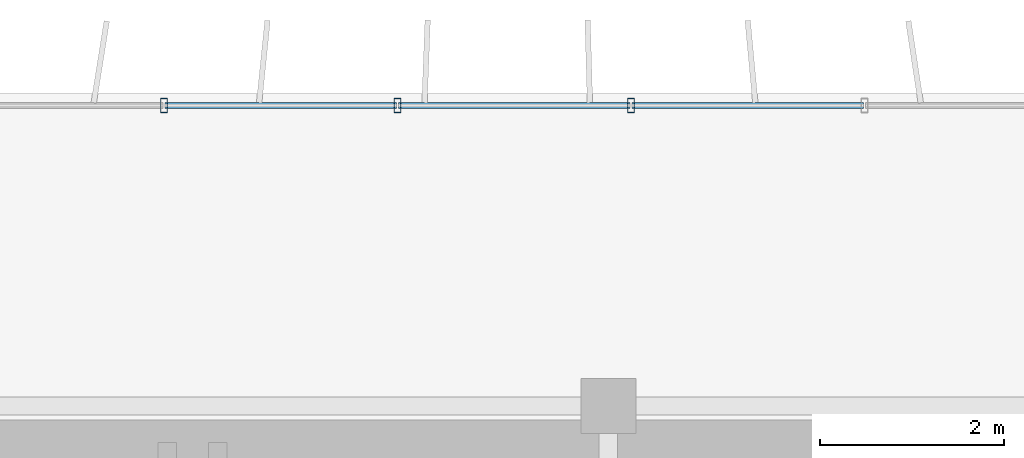
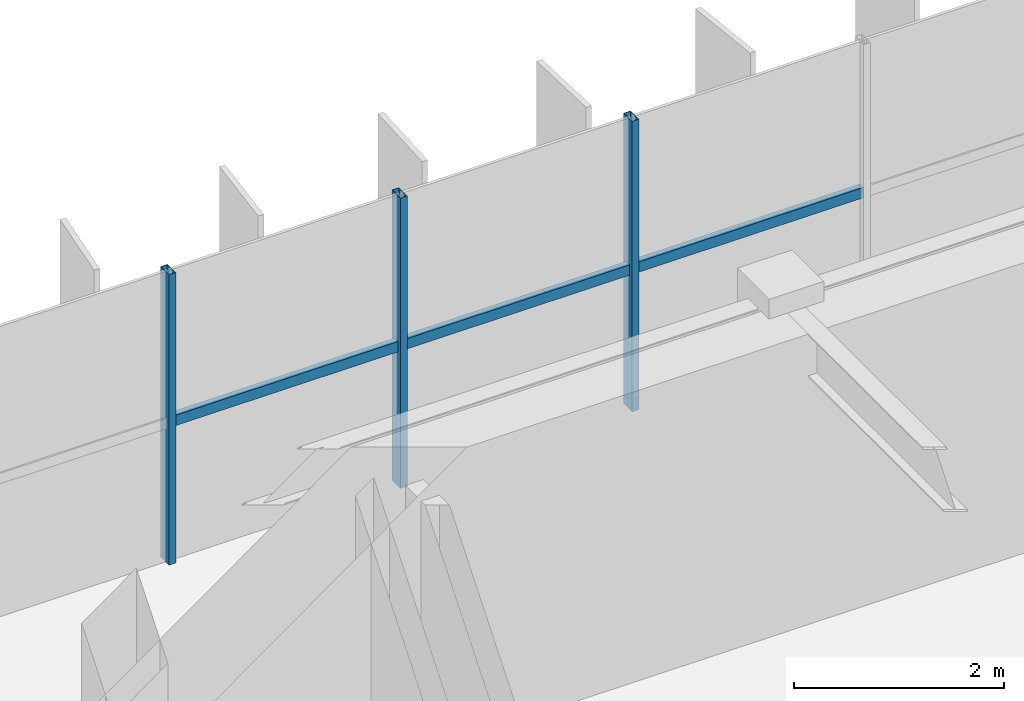
# One storey, part 8 of 23: 6 members, 1 element without a shape of its own.
"""IFC4 building model written with IfcOpenShell, lengths in metres."""

import ifcopenshell
import ifcopenshell.guid

model = None  # the IFC model being written
_history = None  # IfcOwnerHistory: only IFC2X3 demands one
_inside = {}  # id of a spatial element -> (the spatial element, [elements in it])
_under = {}  # id of a project, library or spatial element -> (it, [spatial elements below it])
_declared = {}  # id of a project -> (the project, [libraries it declares])
_typed = {}  # id of a type object -> (the type object, [elements of that type])
_made_of = {}  # id of a material, layer set ... -> (it, [elements and type objects made of it])


def new_model(schema):
    """Start an empty IFC model of exactly this schema.

    Asked for "IFC4X3", IfcOpenShell would pick the latest addendum, in which some entities
    have other attributes; the version numbers below select the first issue.
    IFC2X3 requires an IfcOwnerHistory on every rooted entity: one is made here for all.
    """
    global model, _history
    if schema == "IFC4X3":
        model = ifcopenshell.file(schema_version=(4, 3, 0, 0))
    else:
        model = ifcopenshell.file(schema=schema)
    _inside.clear()
    _under.clear()
    _declared.clear()
    _typed.clear()
    _made_of.clear()
    _history = None
    if model.schema == "IFC2X3":
        org = make("IfcOrganization", Name="unknown")
        user = make(
            "IfcPersonAndOrganization",
            ThePerson=make("IfcPerson", FamilyName="unknown"),
            TheOrganization=org,
        )
        app = make(
            "IfcApplication",
            ApplicationDeveloper=org,
            Version="unknown",
            ApplicationFullName="unknown",
            ApplicationIdentifier="unknown",
        )
        _history = make(
            "IfcOwnerHistory",
            OwningUser=user,
            OwningApplication=app,
            ChangeAction="ADDED",
            CreationDate=0,
        )
    return model


def make(cls, **values):
    """One entity of the class cls with the attributes given. An attribute that is None is left unset."""
    return model.create_entity(
        cls, **{name: value for name, value in values.items() if value is not None}
    )


def rooted(cls, **values):
    """An entity with a GlobalId (a new one), such as an element, a storey or a relation."""
    return make(cls, GlobalId=ifcopenshell.guid.new(), OwnerHistory=_history, **values)


def si_unit(unit_type, name, prefix=None):
    """IfcSIUnit, for example si_unit("LENGTHUNIT", "METRE", prefix="MILLI")."""
    return make("IfcSIUnit", UnitType=unit_type, Prefix=prefix, Name=name)


def assignment(units):
    """IfcUnitAssignment: the units of a project."""
    return None if units is None else make("IfcUnitAssignment", Units=units)


def point(xyz):
    """IfcCartesianPoint."""
    return None if xyz is None else make("IfcCartesianPoint", Coordinates=xyz)


def direction(xyz):
    """IfcDirection."""
    return None if xyz is None else make("IfcDirection", DirectionRatios=xyz)


def frame(location, z_axis=None, x_axis=None):
    """IfcAxis2Placement3D, a coordinate frame: its origin and axes. An axis left out is left unset."""
    return make(
        "IfcAxis2Placement3D",
        Location=point(location),
        Axis=direction(z_axis),
        RefDirection=direction(x_axis),
    )


def frame_2d(location, x_axis=None):
    """IfcAxis2Placement2D, a coordinate frame in the plane: its origin and x axis."""
    return make(
        "IfcAxis2Placement2D", Location=point(location), RefDirection=direction(x_axis)
    )


def origin():
    """The frame at (0, 0, 0) with its axes left unset."""
    return frame((0.0, 0.0, 0.0))


def origin_2d():
    """The frame at (0, 0) in the plane with its x axis left unset."""
    return frame_2d((0.0, 0.0))


def place(relative_to, where):
    """IfcLocalPlacement: puts the frame where relative to a parent placement (None: the world)."""
    return make(
        "IfcLocalPlacement", PlacementRelTo=relative_to, RelativePlacement=where
    )


def context(
    kind, dimensions, precision=None, world=None, true_north=None, identifier=None
):
    """IfcGeometricRepresentationContext, for example the 3D "Model" context."""
    return make(
        "IfcGeometricRepresentationContext",
        ContextIdentifier=identifier,
        ContextType=kind,
        CoordinateSpaceDimension=dimensions,
        Precision=precision,
        WorldCoordinateSystem=world,
        TrueNorth=true_north,
    )


def subcontext(parent, identifier, kind, view, scale=None):
    """IfcGeometricRepresentationSubContext, for example "Body" below "Model"."""
    return make(
        "IfcGeometricRepresentationSubContext",
        ContextIdentifier=identifier,
        ContextType=kind,
        ParentContext=parent,
        TargetScale=scale,
        TargetView=view,
    )


def project(units=None, contexts=None):
    """IfcProject with its units and contexts."""
    return rooted(
        "IfcProject",
        Name="project",
        RepresentationContexts=contexts,
        UnitsInContext=assignment(units),
    )


def spatial(cls, under=None, at=None, **own):
    """A site, building, storey or space (cls), placed at a placement, below another one or the project."""
    s = rooted(cls, ObjectPlacement=at, **own)
    if under is not None:
        _under.setdefault(under.id(), (under, []))[1].append(s)
    return s


def profile(cls, at=None, kind="AREA", **sizes):
    """A parametric profile (cls). Its sizes go by their IFC names, for example OverallWidth=200.0."""
    return make(cls, ProfileType=kind, Position=at, **sizes)


def hollow_rectangle(**sizes):
    """IfcRectangleHollowProfileDef."""
    return profile("IfcRectangleHollowProfileDef", **sizes)


def extrude(swept, where, along, depth):
    """IfcExtrudedAreaSolid: the profile swept, set in the frame where, extruded along a direction by depth."""
    return make(
        "IfcExtrudedAreaSolid",
        SweptArea=swept,
        Position=where,
        ExtrudedDirection=direction(along),
        Depth=depth,
    )


def shape(context_of_items, identifier, shape_type, items):
    """IfcShapeRepresentation: the items that make up one representation, for example the "Body"."""
    return make(
        "IfcShapeRepresentation",
        ContextOfItems=context_of_items,
        RepresentationIdentifier=identifier,
        RepresentationType=shape_type,
        Items=items,
    )


def source(mapping_origin, context_of_items, identifier, shape_type, items):
    """IfcRepresentationMap: a shape defined once, which mapped items show again and again."""
    return make(
        "IfcRepresentationMap",
        MappingOrigin=mapping_origin,
        MappedRepresentation=shape(context_of_items, identifier, shape_type, items),
    )


def transform(
    local_origin,
    x_axis=None,
    y_axis=None,
    z_axis=None,
    scale=None,
    scale2=None,
    scale3=None,
    uniform=True,
):
    """IfcCartesianTransformationOperator3D, or its non-uniform kind. x_axis, y_axis, z_axis: its Axis1, 2, 3."""
    if uniform:
        return make(
            "IfcCartesianTransformationOperator3D",
            Axis1=direction(x_axis),
            Axis2=direction(y_axis),
            LocalOrigin=point(local_origin),
            Scale=scale,
            Axis3=direction(z_axis),
        )
    return make(
        "IfcCartesianTransformationOperator3DnonUniform",
        Axis1=direction(x_axis),
        Axis2=direction(y_axis),
        LocalOrigin=point(local_origin),
        Scale=scale,
        Axis3=direction(z_axis),
        Scale2=scale2,
        Scale3=scale3,
    )


def mapped(mapping_source, mapping_target):
    """IfcMappedItem: shows the shape of a source again, moved by a transform."""
    return make(
        "IfcMappedItem", MappingSource=mapping_source, MappingTarget=mapping_target
    )


def material(Name=None, Category=None):
    """IfcMaterial."""
    return make("IfcMaterial", Name=Name, Category=Category)


def material_profile(
    of_material, cross_section, Name=None, Category=None, Priority=None
):
    """IfcMaterialProfile: a cross section and its material."""
    return make(
        "IfcMaterialProfile",
        Name=Name,
        Material=of_material,
        Profile=cross_section,
        Priority=Priority,
        Category=Category,
    )


def profile_set(profiles, Name=None, composite=None):
    """IfcMaterialProfileSet."""
    return make(
        "IfcMaterialProfileSet",
        Name=Name,
        MaterialProfiles=profiles,
        CompositeProfile=composite,
    )


def made_of(thing, what):
    """Note that an element or type object is made of a material, layer set ...; save() writes the relation."""
    if what is not None:
        _made_of.setdefault(what.id(), (what, []))[1].append(thing)
    return thing


def type_object(cls, material=None, **own):
    """A type object (cls), such as IfcWallType, which elements share."""
    return made_of(rooted(cls, **own), material)


def element(
    cls,
    number,
    at=None,
    inside=None,
    cuts=None,
    type_object=None,
    material=None,
    context=None,
    identifier="Body",
    shape_type=None,
    held_by="IfcProductDefinitionShape",
    body=None,
    shapes=None,
    **own,
):
    """One element of the class cls, such as IfcWall. Its Tag is "e" and its number.

    at: its placement. inside: the storey or other place that contains it. cuts: it is an
    opening in that element (IfcRelVoidsElement). A single representation is given by context,
    identifier, shape_type and body (its items); several are given by shapes. held_by: the class
    of the entity that holds the representations. save() writes the other relations.
    """
    e = rooted(cls, Tag="e%d" % number, ObjectPlacement=at, **own)
    if body is not None:
        shapes = [shape(context, identifier, shape_type, body)]
    if shapes is not None:
        e.Representation = make(held_by, Representations=shapes)
    if inside is not None:
        _inside.setdefault(inside.id(), (inside, []))[1].append(e)
    if cuts is not None:
        rooted(
            "IfcRelVoidsElement", RelatingBuildingElement=cuts, RelatedOpeningElement=e
        )
    if type_object is not None:
        _typed.setdefault(type_object.id(), (type_object, []))[1].append(e)
    return made_of(e, material)


def aggregate(whole, parts):
    """IfcRelAggregates: a whole, such as a stair, and the parts it consists of."""
    return rooted("IfcRelAggregates", RelatingObject=whole, RelatedObjects=parts)


def save(model, path):
    """Write the relations noted so far, then the file.

    IfcRelAggregates (storeys below a building ...), IfcRelContainedInSpatialStructure (elements
    in a storey), IfcRelDefinesByType, IfcRelAssociatesMaterial and IfcRelDeclares: one each for
    every whole, place, type object, material and project.
    """
    for whole, parts in _under.values():
        aggregate(whole, parts)
    for where, things in _inside.values():
        rooted(
            "IfcRelContainedInSpatialStructure",
            RelatedElements=things,
            RelatingStructure=where,
        )
    for kind, things in _typed.values():
        rooted("IfcRelDefinesByType", RelatedObjects=things, RelatingType=kind)
    for what, things in _made_of.values():
        rooted("IfcRelAssociatesMaterial", RelatedObjects=things, RelatingMaterial=what)
    for by, libraries in _declared.values():
        rooted("IfcRelDeclares", RelatingContext=by, RelatedDefinitions=libraries)
    model.write(path)


model = new_model("IFC4")

# Units and contexts
model_context = context("Model", 3, precision=1e-05, world=origin(), true_north=direction((0.0, 1.0)))
body_context = subcontext(model_context, "Body", "Model", "MODEL_VIEW")
ifc_project = project(units=[si_unit("LENGTHUNIT", "METRE"), si_unit("AREAUNIT", "SQUARE_METRE"), si_unit("VOLUMEUNIT", "CUBIC_METRE"), si_unit("PLANEANGLEUNIT", "RADIAN"), si_unit("MASSUNIT", "GRAM", prefix="KILO")], contexts=[model_context])

# Site, building, storey
site_placement = place(None, origin())
site = spatial("IfcSite", under=ifc_project, at=site_placement, CompositionType="ELEMENT")
building_placement = place(site_placement, origin())
building = spatial("IfcBuilding", under=site, at=building_placement, Name="Trelvane Seafront Commons", CompositionType="ELEMENT")
storey_placement = place(building_placement, frame((0.0, 0.0, 259.5)))
storey = spatial("IfcBuildingStorey", under=building, at=storey_placement, Name="L67", CompositionType="ELEMENT", Elevation=259.5)

# Curtain wall, members
ifc_material = material(Name="Anodised pale-silver aluminium", Category="aluminium")
curtain_wall_type = type_object("IfcCurtainWallType", Name="ARCH-CW5-UPTOWER", PredefinedType="NOTDEFINED", material=ifc_material)
curtain_wall_placement = place(storey_placement, origin())
curtain_wall = element("IfcCurtainWall", 1, at=curtain_wall_placement, inside=storey, type_object=curtain_wall_type, Name="CW-L67-0111", PredefinedType="NOTDEFINED")
ifc_material_profile_1 = material_profile(ifc_material, hollow_rectangle(XDim=0.070068359375, YDim=0.1201171875, WallThickness=0.00390625, at=origin_2d()), Name="TRAN-70x120x4")
ifc_profile_set_1 = profile_set([ifc_material_profile_1], Name="Anodised pale-silver aluminium")
member_type_1 = type_object("IfcMemberType", Name="ARCH-CW-TRAN-120", PredefinedType="USERDEFINED", material=ifc_profile_set_1)
shared_shape_1 = source(origin(), body_context, "Body", "SweptSolid", [
    extrude(hollow_rectangle(XDim=0.070068359375, YDim=0.1201171875, WallThickness=0.00390625, at=origin_2d()), origin(), (0.0, 0.0, 1.0), 2.51708984375),
])
member_1_placement = place(storey_placement, frame((30.859130859375, 48.3701171875, 1.617919921875), z_axis=(1.0, 0.0, 0.0), x_axis=(0.0, 1.0, 0.0)))
member_1 = element("IfcMember", 2, at=member_1_placement, type_object=member_type_1, Name="CW-L67-0111-T06", ObjectType="TRANSOM", PredefinedType="USERDEFINED", context=body_context, shape_type="MappedRepresentation", body=[
    mapped(shared_shape_1, transform((0.0, 0.0, 0.0), x_axis=(1.0, 0.0, 0.0), y_axis=(0.0, 1.0, 0.0), z_axis=(0.0, 0.0, 1.0), scale=1.0)),
])
shared_shape_2 = source(origin(), body_context, "Body", "SweptSolid", [
    extrude(hollow_rectangle(XDim=0.070068359375, YDim=0.1201171875, WallThickness=0.00390625, at=origin_2d()), origin(), (0.0, 0.0, 1.0), 2.517333984375),
])
member_2_placement = place(storey_placement, frame((25.776611328125, 48.3701171875, 1.617919921875), z_axis=(1.0, 0.0, 0.0), x_axis=(0.0, 1.0, 0.0)))
member_2 = element("IfcMember", 3, at=member_2_placement, type_object=member_type_1, Name="CW-L67-0111-T04", ObjectType="TRANSOM", PredefinedType="USERDEFINED", context=body_context, shape_type="MappedRepresentation", body=[
    mapped(shared_shape_2, transform((0.0, 0.0, 0.0), x_axis=(1.0, 0.0, 0.0), y_axis=(0.0, 1.0, 0.0), z_axis=(0.0, 0.0, 1.0), scale=1.0)),
])
member_3_placement = place(storey_placement, frame((28.31787109375, 48.3701171875, 1.617919921875), z_axis=(1.0, 0.0, 0.0), x_axis=(0.0, 1.0, 0.0)))
member_3 = element("IfcMember", 4, at=member_3_placement, type_object=member_type_1, Name="CW-L67-0111-T05", ObjectType="TRANSOM", PredefinedType="USERDEFINED", context=body_context, shape_type="MappedRepresentation", body=[
    mapped(shared_shape_2, transform((0.0, 0.0, 0.0), x_axis=(1.0, 0.0, 0.0), y_axis=(0.0, 1.0, 0.0), z_axis=(0.0, 0.0, 1.0), scale=1.0)),
])
ifc_material_profile_2 = material_profile(ifc_material, hollow_rectangle(XDim=0.074951171875, YDim=0.159912109375, WallThickness=0.00390625, at=origin_2d()), Name="MULL-75x160x4")
ifc_profile_set_2 = profile_set([ifc_material_profile_2], Name="Anodised pale-silver aluminium")
member_type_2 = type_object("IfcMemberType", Name="ARCH-CW-MULL-160", PredefinedType="MULLION", material=ifc_profile_set_2)
shared_shape_3 = source(origin(), body_context, "Body", "SweptSolid", [
    extrude(hollow_rectangle(XDim=0.074951171875, YDim=0.159912109375, WallThickness=0.00390625, at=origin_2d()), origin(), (0.0, 0.0, 1.0), 3.3701171875),
])
member_4_placement = place(storey_placement, frame((25.7646484375, 48.3701171875, 0.0), z_axis=(0.0, 0.0, 1.0), x_axis=(1.0, 0.0, 0.0)))
member_4 = element("IfcMember", 5, at=member_4_placement, type_object=member_type_2, Name="CW-L67-0111-M04", PredefinedType="MULLION", context=body_context, shape_type="MappedRepresentation", body=[
    mapped(shared_shape_3, transform((0.0, 0.0, 0.0), x_axis=(1.0, 0.0, 0.0), y_axis=(0.0, 1.0, 0.0), z_axis=(0.0, 0.0, 1.0), scale=1.0)),
])
member_5_placement = place(storey_placement, frame((28.305908203125, 48.3701171875, 0.0), z_axis=(0.0, 0.0, 1.0), x_axis=(1.0, 0.0, 0.0)))
member_5 = element("IfcMember", 6, at=member_5_placement, type_object=member_type_2, Name="CW-L67-0111-M05", PredefinedType="MULLION", context=body_context, shape_type="MappedRepresentation", body=[
    mapped(shared_shape_3, transform((0.0, 0.0, 0.0), x_axis=(1.0, 0.0, 0.0), y_axis=(0.0, 1.0, 0.0), z_axis=(0.0, 0.0, 1.0), scale=1.0)),
])
member_6_placement = place(storey_placement, frame((30.84716796875, 48.3701171875, 0.0), z_axis=(0.0, 0.0, 1.0), x_axis=(1.0, 0.0, 0.0)))
member_6 = element("IfcMember", 7, at=member_6_placement, type_object=member_type_2, Name="CW-L67-0111-M06", PredefinedType="MULLION", context=body_context, shape_type="MappedRepresentation", body=[
    mapped(shared_shape_3, transform((0.0, 0.0, 0.0), x_axis=(1.0, 0.0, 0.0), y_axis=(0.0, 1.0, 0.0), z_axis=(0.0, 0.0, 1.0), scale=1.0)),
])
aggregate(curtain_wall, [member_4, member_5, member_6, member_2, member_3, member_1])

save(model, "model.ifc")
